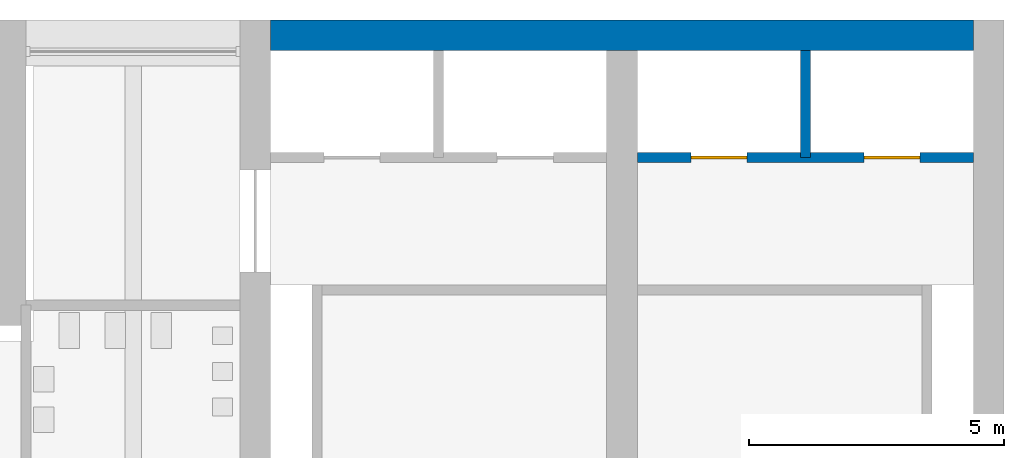
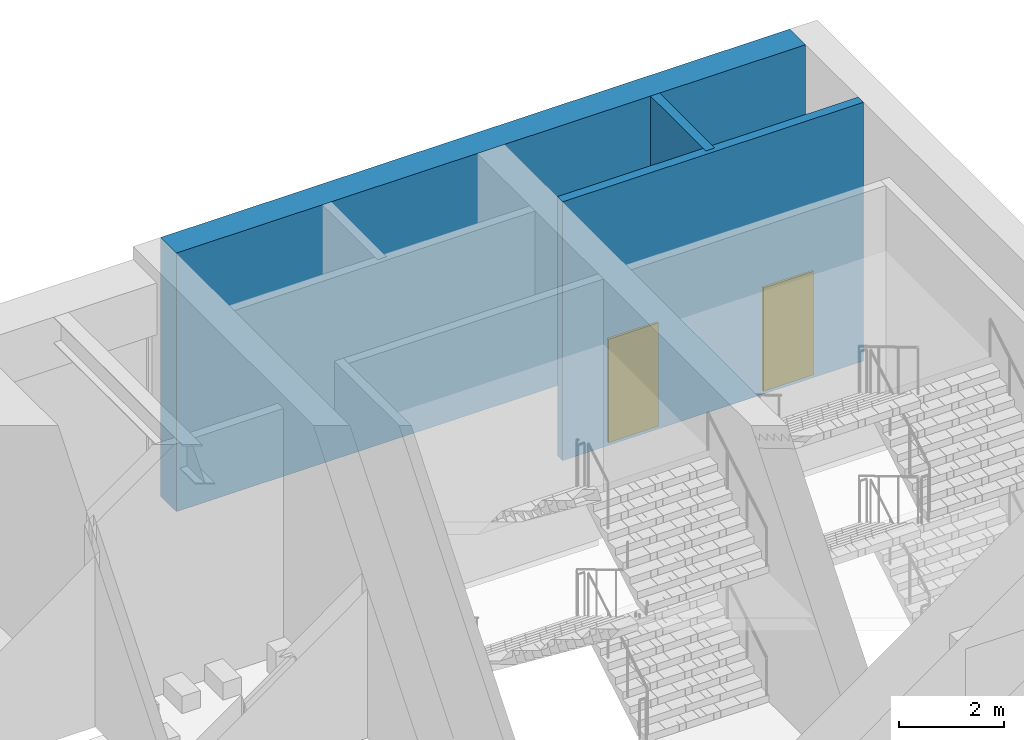
# One storey, part 19 of 43: 3 walls, 2 doors, 2 openings.
"""IFC4 building model written with IfcOpenShell, lengths in metres."""

from ifc_helpers import new_model, si_unit, direction, frame, frame_2d, origin, place, context, subcontext, project, spatial, rectangle, extrude, material, layer, layer_set, type_object, element, fill, save


model = new_model("IFC4")

# Units and contexts
model_context = context("Model", 3, precision=1e-05, world=origin(), true_north=direction((0.0, 1.0)))
body_context = subcontext(model_context, "Body", "Model", "MODEL_VIEW")
ifc_project = project(units=[si_unit("LENGTHUNIT", "METRE"), si_unit("AREAUNIT", "SQUARE_METRE"), si_unit("VOLUMEUNIT", "CUBIC_METRE"), si_unit("PLANEANGLEUNIT", "RADIAN"), si_unit("MASSUNIT", "GRAM", prefix="KILO")], contexts=[model_context])

# Site, building, storey
site_placement = place(None, origin())
site = spatial("IfcSite", under=ifc_project, at=site_placement, CompositionType="ELEMENT")
building_placement = place(site_placement, origin())
building = spatial("IfcBuilding", under=site, at=building_placement, Name="Corbelhall Arena Tower", CompositionType="ELEMENT")
storey_placement = place(building_placement, frame((0.0, 0.0, 25.0)))
storey = spatial("IfcBuildingStorey", under=building, at=storey_placement, Name="L03", CompositionType="ELEMENT", Elevation=25.0)

# Wall, openings, doors
ifc_material_1 = material(Name="Reinforced concrete C40/50", Category="concrete")
ifc_layer_1 = layer(ifc_material_1, 0.199951171875)
ifc_layer_set_1 = layer_set([ifc_layer_1], Name="AR-SHAFT-WALL")
wall_type_1 = type_object("IfcWallType", Name="AR-SHAFT-WALL", PredefinedType="SHEAR", material=ifc_layer_set_1)
wall_1_placement = place(storey_placement, frame((40.800048828125, 36.300048828125, 0.0), z_axis=(0.0, 0.0, 1.0), x_axis=(1.0, 0.0, 0.0)))
wall_1 = element("IfcWall", 1, at=wall_1_placement, inside=storey, type_object=wall_type_1, Name="Lift lobby wall NE", PredefinedType="SHEAR", context=body_context, shape_type="SweptSolid", body=[
    extrude(rectangle(XDim=6.599853515625, YDim=0.199951171875, at=frame_2d((3.2998046875, 0.0))), origin(), (0.0, 0.0, 1.0), 6.0),
])
opening_1_placement = place(wall_1_placement, frame((1.050048828125, 0.0, 0.0)))
opening_1 = element("IfcOpeningElement", 2, at=opening_1_placement, cuts=wall_1, Name="Opening LD0134", PredefinedType="OPENING", context=body_context, shape_type="SweptSolid", body=[
    extrude(rectangle(XDim=1.10009765625, YDim=2.39990234375, at=frame_2d((0.550048828125, 1.199951171875))), frame((0.0, 0.10009765625, 0.0), z_axis=(0.0, -1.0, 0.0), x_axis=(1.0, 0.0, 0.0)), (0.0, 0.0, 1.0), 0.199951171875),
])
opening_2_placement = place(wall_1_placement, frame((4.449951171875, 0.0, 0.0)))
opening_2 = element("IfcOpeningElement", 3, at=opening_2_placement, cuts=wall_1, Name="Opening LD0135", PredefinedType="OPENING", context=body_context, shape_type="SweptSolid", body=[
    extrude(rectangle(XDim=1.10009765625, YDim=2.39990234375, at=frame_2d((0.550048828125, 1.199951171875))), frame((0.0, 0.10009765625, 0.0), z_axis=(0.0, -1.0, 0.0), x_axis=(1.0, 0.0, 0.0)), (0.0, 0.0, 1.0), 0.199951171875),
])
ifc_material_2 = material(Name="Stainless steel A4", Category="steel")
door_type = type_object("IfcDoorType", Name="AR-LANDING-DOOR", OperationType="DOUBLE_DOOR_SLIDING", PredefinedType="DOOR", material=ifc_material_2)
door_1_placement = place(opening_1_placement, origin())
door_1 = element("IfcDoor", 4, at=door_1_placement, inside=storey, type_object=door_type, Name="Landing door NE LF3 L03", OperationType="DOUBLE_DOOR_SLIDING", OverallHeight=2.39990234375, OverallWidth=1.10009765625, PredefinedType="DOOR", context=body_context, shape_type="SweptSolid", body=[
    extrude(rectangle(XDim=1.10009765625, YDim=2.39990234375, at=frame_2d((0.550048828125, 1.199951171875))), frame((0.0, 0.02490234375, 0.0), z_axis=(0.0, -1.0, 0.0), x_axis=(1.0, 0.0, 0.0)), (0.0, 0.0, 1.0), 0.050048828125),
])
fill(opening_1, door_1)
door_2_placement = place(opening_2_placement, origin())
door_2 = element("IfcDoor", 5, at=door_2_placement, inside=storey, type_object=door_type, Name="Landing door NE LF4 L03", OperationType="DOUBLE_DOOR_SLIDING", OverallHeight=2.39990234375, OverallWidth=1.10009765625, PredefinedType="DOOR", context=body_context, shape_type="SweptSolid", body=[
    extrude(rectangle(XDim=1.10009765625, YDim=2.39990234375, at=frame_2d((0.550048828125, 1.199951171875))), frame((0.0, 0.02490234375, 0.0), z_axis=(0.0, -1.0, 0.0), x_axis=(1.0, 0.0, 0.0)), (0.0, 0.0, 1.0), 0.050048828125),
])
fill(opening_2, door_2)

# Walls
wall_2_placement = place(storey_placement, frame((44.10009765625, 36.300048828125, 0.0), z_axis=(0.0, 0.0, 1.0), x_axis=(0.0, 1.0, 0.0)))
element("IfcWall", 6, at=wall_2_placement, inside=storey, type_object=wall_type_1, Name="Shaft wall NE", PredefinedType="SHEAR", context=body_context, shape_type="SweptSolid", body=[
    extrude(rectangle(XDim=2.099853515625, YDim=0.199951171875, at=frame_2d((1.0498046875, 0.0))), origin(), (0.0, 0.0, 1.0), 6.0),
])
ifc_material_3 = material(Name="Concrete C80/95", Category="concrete")
ifc_layer_2 = layer(ifc_material_3, 0.60009765625)
ifc_layer_set_2 = layer_set([ifc_layer_2], Name="PO-CORE-WALL")
wall_type_2 = type_object("IfcWallType", Name="PO-CORE-WALL", PredefinedType="SHEAR", material=ifc_layer_set_2)
wall_3_placement = place(storey_placement, frame((33.60009765625, 38.699951171875, 0.0), z_axis=(0.0, 0.0, 1.0), x_axis=(1.0, 0.0, 0.0)))
element("IfcWall", 7, at=wall_3_placement, inside=storey, type_object=wall_type_2, Name="CORE NE WALL N L03", PredefinedType="SHEAR", context=body_context, shape_type="SweptSolid", body=[
    extrude(rectangle(XDim=13.7998046875, YDim=0.60009765625, at=frame_2d((6.89990234375, 0.0))), origin(), (0.0, 0.0, 1.0), 6.0),
])

save(model, "model.ifc")
